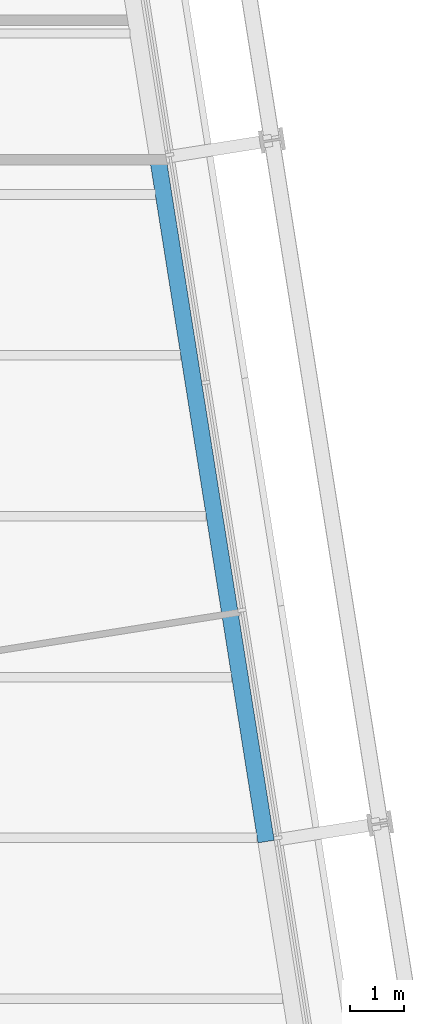
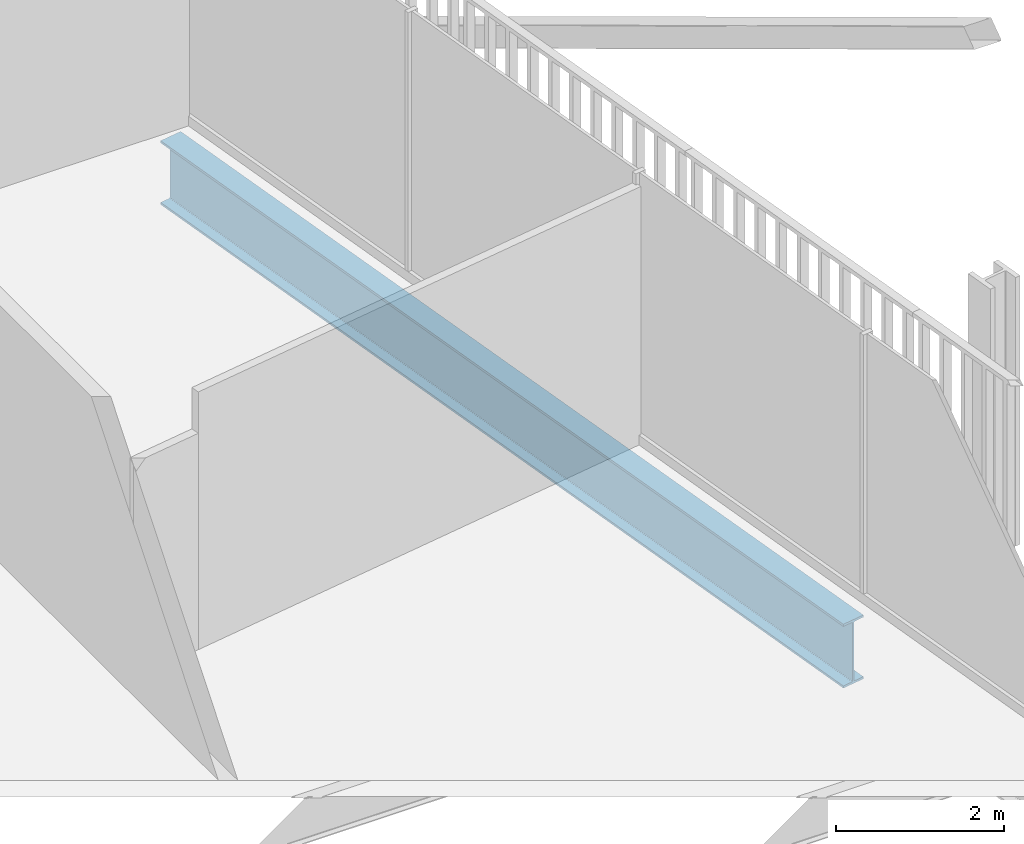
# One storey, part 9 of 22: 1 beam.
"""IFC4 building model written with IfcOpenShell, lengths in metres."""

from ifc_helpers import new_model, si_unit, direction, frame, origin, origin_2d, place, context, subcontext, project, spatial, i_section, extrude, material, material_profile, profile_set, type_object, element, save


model = new_model("IFC4")

# Units and contexts
model_context = context("Model", 3, precision=1e-05, world=origin(), true_north=direction((0.0, 1.0)))
body_context = subcontext(model_context, "Body", "Model", "MODEL_VIEW")
ifc_project = project(units=[si_unit("LENGTHUNIT", "METRE"), si_unit("AREAUNIT", "SQUARE_METRE"), si_unit("VOLUMEUNIT", "CUBIC_METRE"), si_unit("PLANEANGLEUNIT", "RADIAN"), si_unit("MASSUNIT", "GRAM", prefix="KILO")], contexts=[model_context])

# Site, building, storey
site_placement = place(None, origin())
site = spatial("IfcSite", under=ifc_project, at=site_placement, CompositionType="ELEMENT")
building_placement = place(site_placement, origin())
building = spatial("IfcBuilding", under=site, at=building_placement, Name="Millrace Tower", CompositionType="ELEMENT")
storey_placement = place(building_placement, frame((0.0, 0.0, 187.800048828125)))
storey = spatial("IfcBuildingStorey", under=building, at=storey_placement, Name="L42", CompositionType="ELEMENT", Elevation=187.800048828125)

# Beam
ifc_material = material(Name="Steel ASTM A992 Grade 50", Category="steel")
ifc_material_profile = material_profile(ifc_material, i_section(OverallWidth=0.307373046875, OverallDepth=0.927001953125, WebThickness=0.01953125, FlangeThickness=0.031982421875, FilletRadius=0.01904296875, at=origin_2d()))
ifc_profile_set = profile_set([ifc_material_profile], Name="Steel ASTM A992 Grade 50")
beam_type = type_object("IfcBeamType", Name="Ring beam medium span W36x194", PredefinedType="SPANDREL", material=ifc_profile_set)
beam_placement = place(storey_placement, frame((23.25, 9.6728515625, -0.62353515625), z_axis=(0.15642030113, -0.987690583834, 0.0), x_axis=(0.987690583834, 0.15642030113, 0.0)))
element("IfcBeam", 1, at=beam_placement, inside=storey, type_object=beam_type, Name="RNG-C-L42-S1-10", PredefinedType="SPANDREL", context=body_context, shape_type="SweptSolid", body=[
    extrude(i_section(OverallWidth=0.307373046875, OverallDepth=0.927001953125, WebThickness=0.01953125, FlangeThickness=0.031982421875, FilletRadius=0.01904296875, at=origin_2d()), origin(), (0.0, 0.0, 1.0), 12.89990234375),
])

save(model, "model.ifc")
